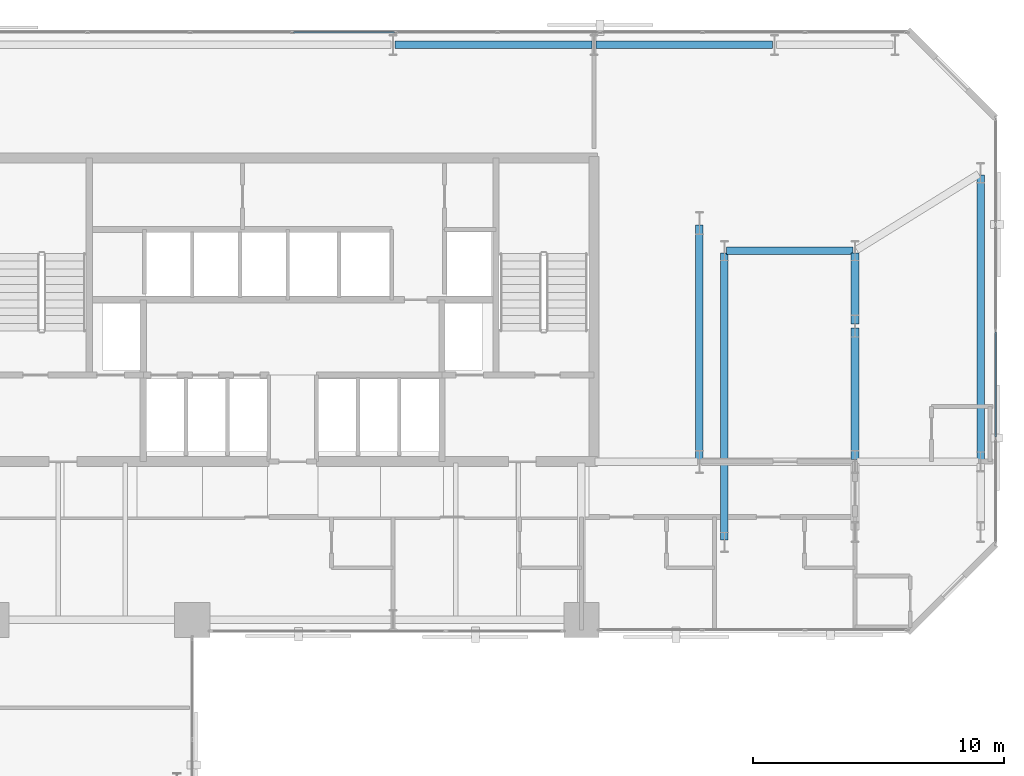
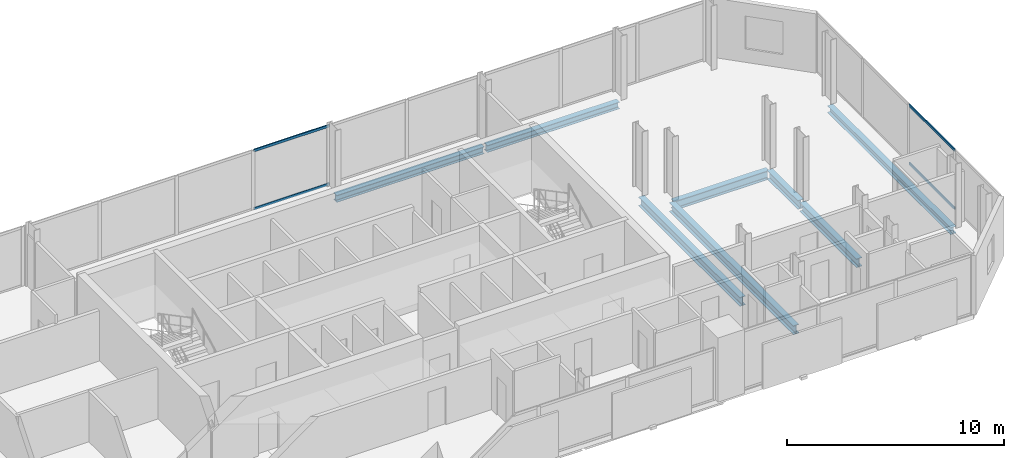
# One storey, part 23 of 32: 8 beams, 4 members, 2 elements without a shape of their own.
"""IFC4 building model written with IfcOpenShell, lengths in metres."""

from ifc_helpers import new_model, si_unit, direction, frame, origin, origin_2d, place, context, subcontext, project, spatial, hollow_rectangle, i_section, extrude, material, layer, layer_set, material_profile, profile_set, type_object, element, aggregate, save


model = new_model("IFC4")

# Units and contexts
model_context = context("Model", 3, precision=1e-05, world=origin(), true_north=direction((0.0, 1.0)))
body_context = subcontext(model_context, "Body", "Model", "MODEL_VIEW")
ifc_project = project(units=[si_unit("LENGTHUNIT", "METRE"), si_unit("AREAUNIT", "SQUARE_METRE"), si_unit("VOLUMEUNIT", "CUBIC_METRE"), si_unit("PLANEANGLEUNIT", "RADIAN"), si_unit("MASSUNIT", "GRAM", prefix="KILO")], contexts=[model_context])

# Site, building, storey
site_placement = place(None, origin())
site = spatial("IfcSite", under=ifc_project, at=site_placement, CompositionType="ELEMENT")
building_placement = place(site_placement, origin())
building = spatial("IfcBuilding", under=site, at=building_placement, Name="Catumbela Crestline Tower", CompositionType="ELEMENT")
storey_placement = place(building_placement, frame((0.0, 0.0, 65.4)))
storey = spatial("IfcBuildingStorey", under=building, at=storey_placement, Name="L16", CompositionType="ELEMENT", Elevation=65.4)

# Beams
ifc_material_1 = material(Name="Structural steel S355J2", Category="steel")
ifc_material_profile_1 = material_profile(ifc_material_1, i_section(OverallWidth=0.3, OverallDepth=0.5, WebThickness=0.0145, FlangeThickness=0.028, FilletRadius=0.027, at=origin_2d()), Name="HEB 500")
ifc_profile_set_1 = profile_set([ifc_material_profile_1], Name="Structural steel S355J2")
beam_type_1 = type_object("IfcBeamType", Name="BG-HEB500", PredefinedType="BEAM", material=ifc_profile_set_1)
beam_1_placement = place(storey_placement, frame((45.28, 39.2, -0.51), z_axis=(1.0, 0.0, 0.0), x_axis=(0.0, 1.0, 0.0)))
element("IfcBeam", 1, at=beam_1_placement, inside=storey, type_object=beam_type_1, Name="L16 Beam BM-L16-N17", PredefinedType="BEAM", context=body_context, shape_type="SweptSolid", body=[
    extrude(i_section(OverallWidth=0.3, OverallDepth=0.5, WebThickness=0.0145, FlangeThickness=0.028, FilletRadius=0.027, at=origin_2d()), origin(), (0.0, 0.0, 1.0), 5.04),
])
beam_2_placement = place(storey_placement, frame((44.2, 30.88, -0.51), z_axis=(0.0, 1.0, 0.0), x_axis=(-1.0, 0.0, 0.0)))
element("IfcBeam", 2, at=beam_2_placement, inside=storey, type_object=beam_type_1, Name="L16 Beam BM-L16-SN35", PredefinedType="BEAM", context=body_context, shape_type="SweptSolid", body=[
    extrude(i_section(OverallWidth=0.3, OverallDepth=0.5, WebThickness=0.0145, FlangeThickness=0.028, FilletRadius=0.027, at=origin_2d()), origin(), (0.0, 0.0, 1.0), 9.34),
])
beam_3_placement = place(storey_placement, frame((45.2, 27.68, -0.51), z_axis=(0.0, 1.0, 0.0), x_axis=(-1.0, 0.0, 0.0)))
element("IfcBeam", 3, at=beam_3_placement, inside=storey, type_object=beam_type_1, Name="L16 Beam BM-L16-SN36", PredefinedType="BEAM", context=body_context, shape_type="SweptSolid", body=[
    extrude(i_section(OverallWidth=0.3, OverallDepth=0.5, WebThickness=0.0145, FlangeThickness=0.028, FilletRadius=0.027, at=origin_2d()), origin(), (0.0, 0.0, 1.0), 11.44),
])
beam_4_placement = place(storey_placement, frame((50.4, 30.88, -0.51), z_axis=(0.0, 1.0, 0.0), x_axis=(-1.0, 0.0, 0.0)))
element("IfcBeam", 4, at=beam_4_placement, inside=storey, type_object=beam_type_1, Name="L16 Beam BM-L16-SN38", PredefinedType="BEAM", context=body_context, shape_type="SweptSolid", body=[
    extrude(i_section(OverallWidth=0.3, OverallDepth=0.5, WebThickness=0.0145, FlangeThickness=0.028, FilletRadius=0.027, at=origin_2d()), origin(), (0.0, 0.0, 1.0), 5.24),
])
beam_5_placement = place(storey_placement, frame((50.4, 36.28, -0.51), z_axis=(0.0, 1.0, 0.0), x_axis=(-1.0, 0.0, 0.0)))
element("IfcBeam", 5, at=beam_5_placement, inside=storey, type_object=beam_type_1, Name="L16 Beam BM-L16-SN39", PredefinedType="BEAM", context=body_context, shape_type="SweptSolid", body=[
    extrude(i_section(OverallWidth=0.3, OverallDepth=0.5, WebThickness=0.0145, FlangeThickness=0.028, FilletRadius=0.027, at=origin_2d()), origin(), (0.0, 0.0, 1.0), 2.84),
])
ifc_material_profile_2 = material_profile(ifc_material_1, i_section(OverallWidth=0.3, OverallDepth=0.39, WebThickness=0.011, FlangeThickness=0.019, FilletRadius=0.027, at=origin_2d()), Name="HEA 400")
ifc_profile_set_2 = profile_set([ifc_material_profile_2], Name="Structural steel S355J2")
beam_type_2 = type_object("IfcBeamType", Name="BS-HEA400", PredefinedType="SPANDREL", material=ifc_profile_set_2)
beam_6_placement = place(storey_placement, frame((32.08, 47.4, -0.455), z_axis=(1.0, 0.0, 0.0), x_axis=(0.0, 1.0, 0.0)))
element("IfcBeam", 6, at=beam_6_placement, inside=storey, type_object=beam_type_2, Name="L16 Spandrel SP-L16-NF22", PredefinedType="SPANDREL", context=body_context, shape_type="SweptSolid", body=[
    extrude(i_section(OverallWidth=0.3, OverallDepth=0.39, WebThickness=0.011, FlangeThickness=0.019, FilletRadius=0.027, at=origin_2d()), origin(), (0.0, 0.0, 1.0), 7.84),
])
beam_7_placement = place(storey_placement, frame((40.08, 47.4, -0.455), z_axis=(1.0, 0.0, 0.0), x_axis=(0.0, 1.0, 0.0)))
element("IfcBeam", 7, at=beam_7_placement, inside=storey, type_object=beam_type_2, Name="L16 Spandrel SP-L16-NF23", PredefinedType="SPANDREL", context=body_context, shape_type="SweptSolid", body=[
    extrude(i_section(OverallWidth=0.3, OverallDepth=0.39, WebThickness=0.011, FlangeThickness=0.019, FilletRadius=0.027, at=origin_2d()), origin(), (0.0, 0.0, 1.0), 7.04),
])
beam_8_placement = place(storey_placement, frame((55.4, 30.88, -0.455), z_axis=(0.0, 1.0, 0.0), x_axis=(-1.0, 0.0, 0.0)))
element("IfcBeam", 8, at=beam_8_placement, inside=storey, type_object=beam_type_2, Name="L16 Spandrel SP-L16-SN41", PredefinedType="SPANDREL", context=body_context, shape_type="SweptSolid", body=[
    extrude(i_section(OverallWidth=0.3, OverallDepth=0.39, WebThickness=0.011, FlangeThickness=0.019, FilletRadius=0.027, at=origin_2d()), origin(), (0.0, 0.0, 1.0), 11.34),
])

# Curtain wall, members
ifc_material_2 = material(Name="Aluminium alloy AW-6060-T66", Category="aluminium")
ifc_layer = layer(ifc_material_2, 0.18, Name="Aluminium alloy AW-6060-T66")
ifc_layer_set = layer_set([ifc_layer], Name="Aluminium alloy AW-6060-T66")
curtain_wall_type = type_object("IfcCurtainWallType", Name="CWU-Z1", PredefinedType="USERDEFINED", material=ifc_layer_set)
curtain_wall_1_placement = place(storey_placement, origin())
curtain_wall_1 = element("IfcCurtainWall", 9, at=curtain_wall_1_placement, inside=storey, type_object=curtain_wall_type, Name="L16 Unitised Curtain Wall CW-L16-E5S1", ObjectType="UNITISED", PredefinedType="USERDEFINED")
ifc_material_profile_3 = material_profile(ifc_material_2, hollow_rectangle(XDim=0.06, YDim=0.14, WallThickness=0.004, at=origin_2d()), Name="ALU 140x60x4")
ifc_profile_set_3 = profile_set([ifc_material_profile_3], Name="Aluminium alloy AW-6060-T66")
member_type = type_object("IfcMemberType", Name="TRN-140X60", PredefinedType="USERDEFINED", material=ifc_profile_set_3)
member_1_placement = place(storey_placement, frame((56.0, 31.7825, 0.03), z_axis=(0.0, 1.0, 0.0), x_axis=(-1.0, 0.0, 0.0)))
member_1 = element("IfcMember", 10, at=member_1_placement, type_object=member_type, Name="CWU-Z1 transom 2.1", ObjectType="TRANSOM", PredefinedType="USERDEFINED", context=body_context, shape_type="SweptSolid", body=[
    extrude(hollow_rectangle(XDim=0.06, YDim=0.14, WallThickness=0.004, at=origin_2d()), origin(), (0.0, 0.0, 1.0), 4.185),
])
member_2_placement = place(storey_placement, frame((56.0, 31.7825, 3.3), z_axis=(0.0, 1.0, 0.0), x_axis=(-1.0, 0.0, 0.0)))
member_2 = element("IfcMember", 11, at=member_2_placement, type_object=member_type, Name="CWU-Z1 transom 2.2", ObjectType="TRANSOM", PredefinedType="USERDEFINED", context=body_context, shape_type="SweptSolid", body=[
    extrude(hollow_rectangle(XDim=0.06, YDim=0.14, WallThickness=0.004, at=origin_2d()), origin(), (0.0, 0.0, 1.0), 4.185),
])
aggregate(curtain_wall_1, [member_1, member_2])

curtain_wall_2_placement = place(storey_placement, origin())
curtain_wall_2 = element("IfcCurtainWall", 12, at=curtain_wall_2_placement, inside=storey, type_object=curtain_wall_type, Name="L16 Unitised Curtain Wall CW-L16-E7S1", ObjectType="UNITISED", PredefinedType="USERDEFINED")
member_3_placement = place(storey_placement, frame((32.0508, 47.9, 0.03), z_axis=(-1.0, 0.0, 0.0), x_axis=(0.0, -1.0, 0.0)))
member_3 = element("IfcMember", 13, at=member_3_placement, type_object=member_type, Name="CWU-Z1 transom 6.1", ObjectType="TRANSOM", PredefinedType="USERDEFINED", context=body_context, shape_type="SweptSolid", body=[
    extrude(hollow_rectangle(XDim=0.06, YDim=0.14, WallThickness=0.004, at=origin_2d()), origin(), (0.0, 0.0, 1.0), 4.0183),
])
member_4_placement = place(storey_placement, frame((32.0508, 47.9, 3.3), z_axis=(-1.0, 0.0, 0.0), x_axis=(0.0, -1.0, 0.0)))
member_4 = element("IfcMember", 14, at=member_4_placement, type_object=member_type, Name="CWU-Z1 transom 6.2", ObjectType="TRANSOM", PredefinedType="USERDEFINED", context=body_context, shape_type="SweptSolid", body=[
    extrude(hollow_rectangle(XDim=0.06, YDim=0.14, WallThickness=0.004, at=origin_2d()), origin(), (0.0, 0.0, 1.0), 4.0183),
])
aggregate(curtain_wall_2, [member_3, member_4])

save(model, "model.ifc")
